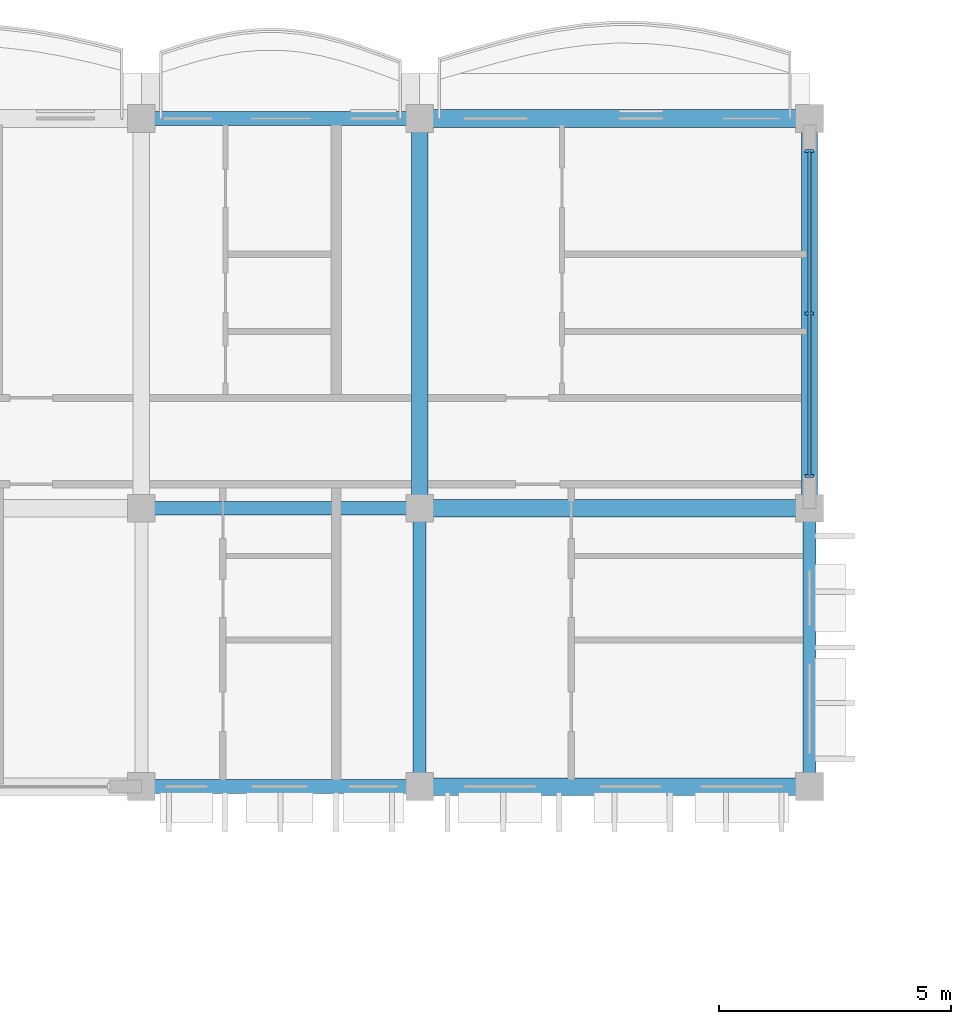
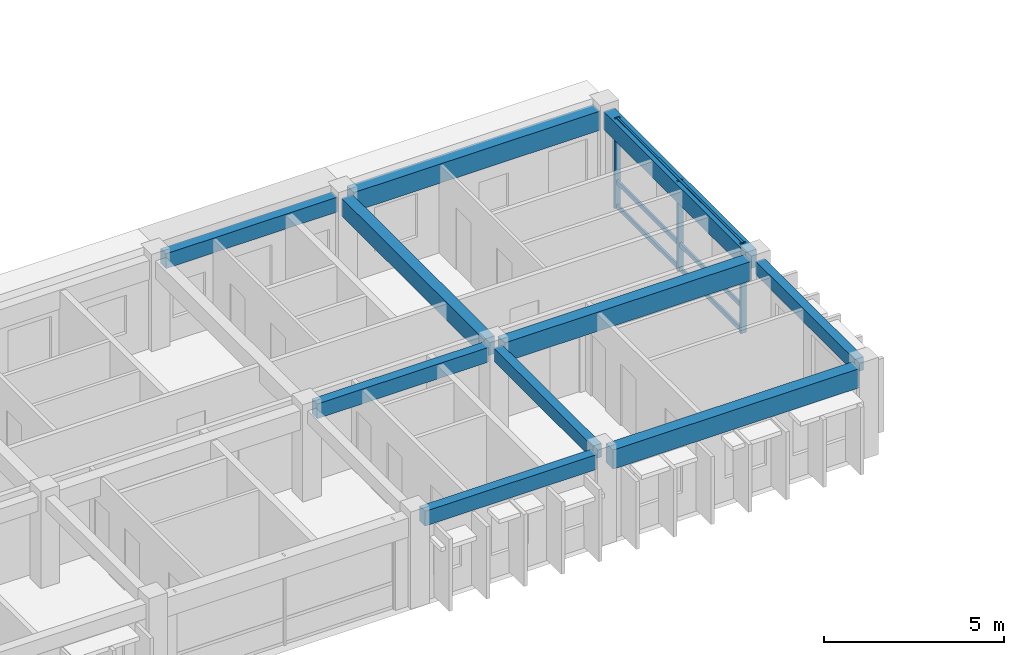
# One storey, part 11 of 54: 10 beams, 6 members, 1 element without a shape of its own.
"""IFC4 building model written with IfcOpenShell, lengths in metres."""

from ifc_helpers import new_model, si_unit, direction, frame, origin, origin_2d, place, context, subcontext, project, spatial, rectangle, extrude, material, material_profile, profile_set, type_object, element, aggregate, save


model = new_model("IFC4")

# Units and contexts
model_context = context("Model", 3, precision=1e-05, world=origin(), true_north=direction((0.0, 1.0)))
body_context = subcontext(model_context, "Body", "Model", "MODEL_VIEW")
ifc_project = project(units=[si_unit("LENGTHUNIT", "METRE"), si_unit("AREAUNIT", "SQUARE_METRE"), si_unit("VOLUMEUNIT", "CUBIC_METRE"), si_unit("PLANEANGLEUNIT", "RADIAN"), si_unit("MASSUNIT", "GRAM", prefix="KILO"), si_unit("THERMODYNAMICTEMPERATUREUNIT", "KELVIN")], contexts=[model_context])

# Site, building, storey
site_placement = place(None, origin())
site = spatial("IfcSite", under=ifc_project, at=site_placement, CompositionType="ELEMENT")
building_placement = place(site_placement, origin())
building = spatial("IfcBuilding", under=site, at=building_placement, Name="Thalorik Housing Commons", CompositionType="ELEMENT")
storey_placement = place(building_placement, frame((0.0, 0.0, 31.199951171875)))
storey = spatial("IfcBuildingStorey", under=building, at=storey_placement, Name="L09", CompositionType="ELEMENT", Elevation=31.199951171875)

# Curtain wall, members
ifc_material_1 = material(Name="Anodised aluminium and solar-control low-E glass", Category="aluminium")
curtain_wall_type = type_object("IfcCurtainWallType", Name="ARC-CW-LOUNGE", PredefinedType="USERDEFINED", material=ifc_material_1)
curtain_wall_placement = place(storey_placement, origin())
curtain_wall = element("IfcCurtainWall", 1, at=curtain_wall_placement, inside=storey, type_object=curtain_wall_type, Name="L09 Curtain Wall CW-RES-L09-A-039", ObjectType="CURTAIN WALL", PredefinedType="USERDEFINED")
ifc_material_2 = material(Name="Anodised aluminium 6063-T6", Category="aluminium")
ifc_material_profile_1 = material_profile(ifc_material_2, rectangle(XDim=0.06494140625, YDim=0.179931640625, at=origin_2d()), Name="ALU MUL 65x180", Category="aluminium")
ifc_profile_set_1 = profile_set([ifc_material_profile_1], Name="Anodised aluminium 6063-T6")
member_type_1 = type_object("IfcMemberType", Name="ARC-CW-MUL-65x180", PredefinedType="MULLION", material=ifc_profile_set_1)
member_1_placement = place(storey_placement, frame((51.60009765625, 115.89990234375, 0.0), z_axis=(0.0, 0.0, 1.0), x_axis=(0.0, 1.0, 0.0)))
member_1 = element("IfcMember", 2, at=member_1_placement, type_object=member_type_1, Name="CW-RES-L09-A-039 Mullion 1", PredefinedType="MULLION", context=body_context, shape_type="SweptSolid", body=[
    extrude(rectangle(XDim=0.06494140625, YDim=0.179931640625, at=origin_2d()), origin(), (0.0, 0.0, 1.0), 3.0400390625),
])
member_2_placement = place(storey_placement, frame((51.60009765625, 119.39990234375, 0.0), z_axis=(0.0, 0.0, 1.0), x_axis=(0.0, 1.0, 0.0)))
member_2 = element("IfcMember", 3, at=member_2_placement, type_object=member_type_1, Name="CW-RES-L09-A-039 Mullion 2", PredefinedType="MULLION", context=body_context, shape_type="SweptSolid", body=[
    extrude(rectangle(XDim=0.06494140625, YDim=0.179931640625, at=origin_2d()), origin(), (0.0, 0.0, 1.0), 3.0400390625),
])
member_3_placement = place(storey_placement, frame((51.60009765625, 122.89990234375, 0.0), z_axis=(0.0, 0.0, 1.0), x_axis=(0.0, 1.0, 0.0)))
member_3 = element("IfcMember", 4, at=member_3_placement, type_object=member_type_1, Name="CW-RES-L09-A-039 Mullion 3", PredefinedType="MULLION", context=body_context, shape_type="SweptSolid", body=[
    extrude(rectangle(XDim=0.06494140625, YDim=0.179931640625, at=origin_2d()), origin(), (0.0, 0.0, 1.0), 3.0400390625),
])
ifc_material_profile_2 = material_profile(ifc_material_2, rectangle(XDim=0.06494140625, YDim=0.14990234375, at=origin_2d()), Name="ALU TRN 65x150", Category="aluminium")
ifc_profile_set_2 = profile_set([ifc_material_profile_2], Name="Anodised aluminium 6063-T6")
member_type_2 = type_object("IfcMemberType", Name="ARC-CW-TRN-65x150", PredefinedType="USERDEFINED", material=ifc_profile_set_2)
member_4_placement = place(storey_placement, frame((51.60009765625, 115.89990234375, 0.054931640625), z_axis=(0.0, 1.0, 0.0), x_axis=(-1.0, 0.0, 0.0)))
member_4 = element("IfcMember", 5, at=member_4_placement, type_object=member_type_2, Name="CW-RES-L09-A-039 Transom 1", ObjectType="TRANSOM", PredefinedType="USERDEFINED", context=body_context, shape_type="SweptSolid", body=[
    extrude(rectangle(XDim=0.06494140625, YDim=0.14990234375, at=origin_2d()), origin(), (0.0, 0.0, 1.0), 7.0),
])
member_5_placement = place(storey_placement, frame((51.60009765625, 115.89990234375, 0.880126953125), z_axis=(0.0, 1.0, 0.0), x_axis=(-1.0, 0.0, 0.0)))
member_5 = element("IfcMember", 6, at=member_5_placement, type_object=member_type_2, Name="CW-RES-L09-A-039 Transom 2", ObjectType="TRANSOM", PredefinedType="USERDEFINED", context=body_context, shape_type="SweptSolid", body=[
    extrude(rectangle(XDim=0.06494140625, YDim=0.14990234375, at=origin_2d()), origin(), (0.0, 0.0, 1.0), 7.0),
])
member_6_placement = place(storey_placement, frame((51.60009765625, 115.89990234375, 2.985107421875), z_axis=(0.0, 1.0, 0.0), x_axis=(-1.0, 0.0, 0.0)))
member_6 = element("IfcMember", 7, at=member_6_placement, type_object=member_type_2, Name="CW-RES-L09-A-039 Transom 3", ObjectType="TRANSOM", PredefinedType="USERDEFINED", context=body_context, shape_type="SweptSolid", body=[
    extrude(rectangle(XDim=0.06494140625, YDim=0.14990234375, at=origin_2d()), origin(), (0.0, 0.0, 1.0), 7.0),
])
aggregate(curtain_wall, [member_1, member_2, member_3, member_4, member_5, member_6])

# Beams
ifc_material_3 = material(Name="Precast concrete C40/50", Category="concrete")
ifc_material_profile_3 = material_profile(ifc_material_3, rectangle(XDim=0.280029296875, YDim=0.449951171875, at=origin_2d()), Name="PC 280x450", Category="concrete")
ifc_profile_set_3 = profile_set([ifc_material_profile_3], Name="Precast concrete C40/50")
beam_type_1 = type_object("IfcBeamType", Name="STR-BM-PC280x450", PredefinedType="BEAM", material=ifc_profile_set_3)
for number, where, z_axis, x_axis, name in (
    (8, (43.199951171875, 109.449951171875, 2.81494140625), (0.0, 1.0, 0.0), (-1.0, 0.0, 0.0), "L09 Beam B-450"),
    (9, (51.60009765625, 109.449951171875, 2.81494140625), (0.0, 1.0, 0.0), (-1.0, 0.0, 0.0), "L09 Beam B-450"),
):
    element("IfcBeam", number, at=place(storey_placement, frame(where, z_axis=z_axis, x_axis=x_axis)), inside=storey, type_object=beam_type_1, Name=name, PredefinedType="BEAM", context=body_context, shape_type="SweptSolid", body=[
        extrude(rectangle(XDim=0.280029296875, YDim=0.449951171875, at=origin_2d()), origin(), (0.0, 0.0, 1.0), 5.5),
    ])
ifc_material_profile_4 = material_profile(ifc_material_3, rectangle(XDim=0.300048828125, YDim=0.5, at=origin_2d()), Name="PC 300x500", Category="concrete")
ifc_profile_set_4 = profile_set([ifc_material_profile_4], Name="Precast concrete C40/50")
beam_type_2 = type_object("IfcBeamType", Name="STR-BM-PC300x500", PredefinedType="BEAM", material=ifc_profile_set_4)
for number, where, z_axis, x_axis, name in (
    (10, (37.449951171875, 109.199951171875, 2.7900390625), (1.0, 0.0, 0.0), (0.0, 1.0, 0.0), "L09 Beam B-500"),
    (11, (37.449951171875, 115.199951171875, 2.7900390625), (1.0, 0.0, 0.0), (0.0, 1.0, 0.0), "L09 Beam B-500"),
    (12, (37.449951171875, 123.60009765625, 2.7900390625), (1.0, 0.0, 0.0), (0.0, 1.0, 0.0), "L09 Beam B-500"),
):
    element("IfcBeam", number, at=place(storey_placement, frame(where, z_axis=z_axis, x_axis=x_axis)), inside=storey, type_object=beam_type_2, Name=name, PredefinedType="BEAM", context=body_context, shape_type="SweptSolid", body=[
        extrude(rectangle(XDim=0.300048828125, YDim=0.5, at=origin_2d()), origin(), (0.0, 0.0, 1.0), 5.5),
    ])
ifc_material_profile_5 = material_profile(ifc_material_3, rectangle(XDim=0.35009765625, YDim=0.60009765625, at=origin_2d()), Name="PC 350x600", Category="concrete")
ifc_profile_set_5 = profile_set([ifc_material_profile_5], Name="Precast concrete C40/50")
beam_type_3 = type_object("IfcBeamType", Name="STR-BM-PC350x600", PredefinedType="BEAM", material=ifc_profile_set_5)
for number, where, z_axis, x_axis, name in (
    (13, (43.199951171875, 115.449951171875, 2.739990234375), (0.0, 1.0, 0.0), (-1.0, 0.0, 0.0), "L09 Beam B-600"),
    (14, (51.60009765625, 115.449951171875, 2.739990234375), (0.0, 1.0, 0.0), (-1.0, 0.0, 0.0), "L09 Beam B-600"),
):
    element("IfcBeam", number, at=place(storey_placement, frame(where, z_axis=z_axis, x_axis=x_axis)), inside=storey, type_object=beam_type_3, Name=name, PredefinedType="BEAM", context=body_context, shape_type="SweptSolid", body=[
        extrude(rectangle(XDim=0.35009765625, YDim=0.60009765625, at=origin_2d()), origin(), (0.0, 0.0, 1.0), 7.900146484375),
    ])
ifc_material_profile_6 = material_profile(ifc_material_3, rectangle(XDim=0.3798828125, YDim=0.64990234375, at=origin_2d()), Name="PC 380x650", Category="concrete")
ifc_profile_set_6 = profile_set([ifc_material_profile_6], Name="Precast concrete C40/50")
beam_type_4 = type_object("IfcBeamType", Name="STR-BM-PC380x650", PredefinedType="BEAM", material=ifc_profile_set_6)
for number, where, z_axis, x_axis, name in (
    (15, (43.449951171875, 109.199951171875, 2.715087890625), (1.0, 0.0, 0.0), (0.0, 1.0, 0.0), "L09 Beam B-650"),
    (16, (43.449951171875, 115.199951171875, 2.715087890625), (1.0, 0.0, 0.0), (0.0, 1.0, 0.0), "L09 Beam B-650"),
    (17, (43.449951171875, 123.60009765625, 2.715087890625), (1.0, 0.0, 0.0), (0.0, 1.0, 0.0), "L09 Beam B-650"),
):
    element("IfcBeam", number, at=place(storey_placement, frame(where, z_axis=z_axis, x_axis=x_axis)), inside=storey, type_object=beam_type_4, Name=name, PredefinedType="BEAM", context=body_context, shape_type="SweptSolid", body=[
        extrude(rectangle(XDim=0.3798828125, YDim=0.64990234375, at=origin_2d()), origin(), (0.0, 0.0, 1.0), 7.900146484375),
    ])

save(model, "model.ifc")
